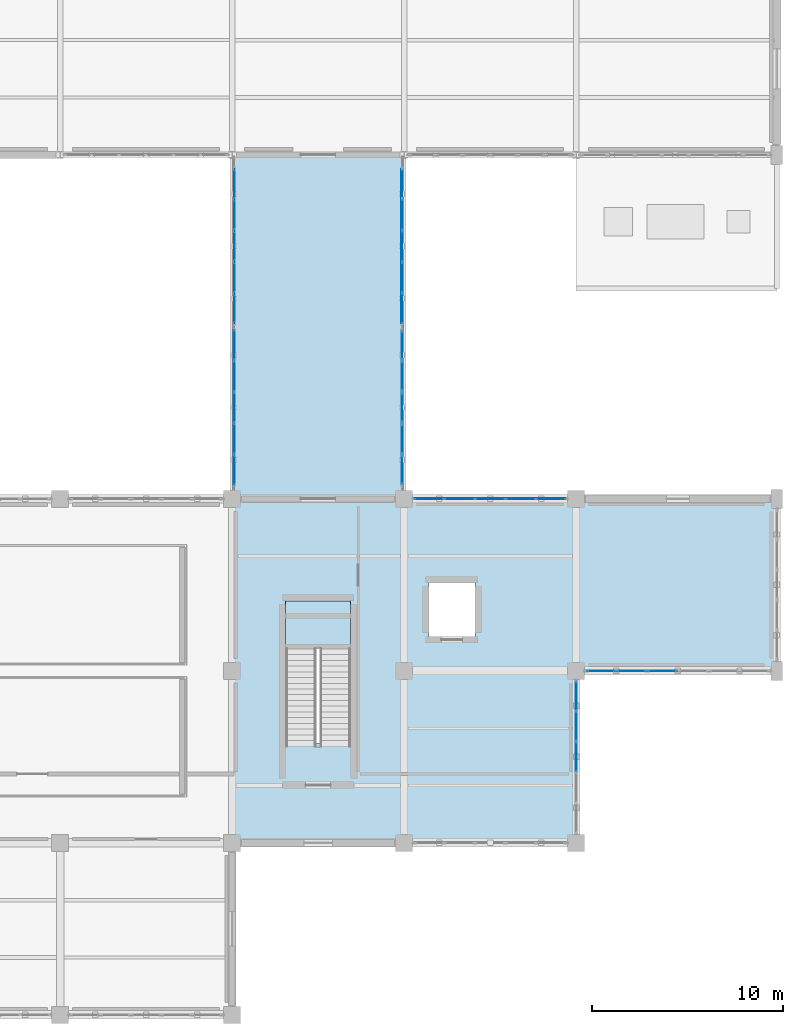
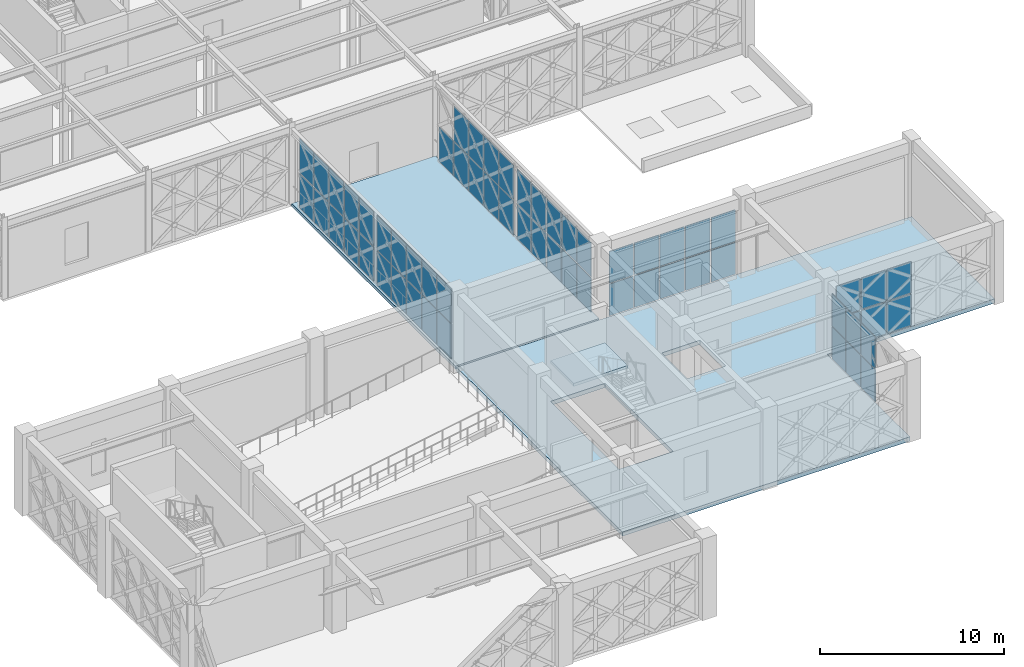
# One storey, part 135 of 166: 61 plates, 3 slabs, 8 elements without a shape of their own.
"""IFC4 building model written with IfcOpenShell, lengths in metres."""

from ifc_helpers import new_model, si_unit, direction, frame, origin, origin_2d, place, context, subcontext, project, spatial, polyline, rectangle, outline, extrude, material, layer, layer_set, type_object, element, aggregate, save


model = new_model("IFC4")

# Units and contexts
model_context = context("Model", 3, precision=1e-05, world=origin(), true_north=direction((0.0, 1.0)))
body_context = subcontext(model_context, "Body", "Model", "MODEL_VIEW")
ifc_project = project(units=[si_unit("LENGTHUNIT", "METRE"), si_unit("AREAUNIT", "SQUARE_METRE"), si_unit("VOLUMEUNIT", "CUBIC_METRE"), si_unit("PLANEANGLEUNIT", "RADIAN"), si_unit("MASSUNIT", "GRAM", prefix="KILO")], contexts=[model_context])

# Site, building, storey
site_placement = place(None, origin())
site = spatial("IfcSite", under=ifc_project, at=site_placement, CompositionType="ELEMENT")
building_placement = place(site_placement, origin())
building = spatial("IfcBuilding", under=site, at=building_placement, Name="Haizhuo Lancet Aquarium", CompositionType="ELEMENT")
storey_placement = place(building_placement, frame((0.0, 0.0, 5.39990234375)))
storey = spatial("IfcBuildingStorey", under=building, at=storey_placement, Name="L01", CompositionType="ELEMENT", Elevation=5.39990234375)

# Curtain wall, plates
ifc_material_1 = material(Name="Aluminium 6063-T6", Category="aluminium")
curtain_wall_type_1 = type_object("IfcCurtainWallType", Name="CWO-8200x4750", PredefinedType="NOTDEFINED", material=ifc_material_1)
curtain_wall_1_placement = place(storey_placement, origin())
curtain_wall_1 = element("IfcCurtainWall", 1, at=curtain_wall_1_placement, inside=storey, type_object=curtain_wall_type_1, Name="L01 curtain wall CW-SB-02-W2", PredefinedType="NOTDEFINED")
ifc_material_2 = material(Name="Laminated Low-E Glass", Category="glass")
ifc_layer_1 = layer(ifc_material_2, 0.028076171875)
ifc_layer_set_1 = layer_set([ifc_layer_1], Name="Laminated Low-E Glass")
plate_type_1 = type_object("IfcPlateType", Name="CW-PNL-1", PredefinedType="CURTAIN_PANEL", material=ifc_layer_set_1)
plate_1_placement = place(storey_placement, frame((54.1201171875, 0.958984375, 0.07470703125), z_axis=(0.0, 0.0, 1.0), x_axis=(0.0, 1.0, 0.0)))
plate_1 = element("IfcPlate", 2, at=plate_1_placement, type_object=plate_type_1, Name="CWO-82x47 panel 1.1", PredefinedType="CURTAIN_PANEL", context=body_context, shape_type="SweptSolid", body=[
    extrude(rectangle(XDim=1.528076171875, YDim=0.028076171875, at=origin_2d()), origin(), (0.0, 0.0, 1.0), 2.262939453125),
])
plate_2_placement = place(storey_placement, frame((54.1201171875, 0.958984375, 2.41259765625), z_axis=(0.0, 0.0, 1.0), x_axis=(0.0, 1.0, 0.0)))
plate_2 = element("IfcPlate", 3, at=plate_2_placement, type_object=plate_type_1, Name="CWO-82x47 panel 1.2", PredefinedType="CURTAIN_PANEL", context=body_context, shape_type="SweptSolid", body=[
    extrude(rectangle(XDim=1.528076171875, YDim=0.028076171875, at=origin_2d()), origin(), (0.0, 0.0, 1.0), 2.262939453125),
])
plate_3_placement = place(storey_placement, frame((54.1201171875, 2.580078125, 0.07470703125), z_axis=(0.0, 0.0, 1.0), x_axis=(0.0, 1.0, 0.0)))
plate_3 = element("IfcPlate", 4, at=plate_3_placement, type_object=plate_type_1, Name="CWO-82x47 panel 2.1", PredefinedType="CURTAIN_PANEL", context=body_context, shape_type="SweptSolid", body=[
    extrude(rectangle(XDim=1.56494140625, YDim=0.028076171875, at=origin_2d()), origin(), (0.0, 0.0, 1.0), 2.262939453125),
])
plate_4_placement = place(storey_placement, frame((54.1201171875, 2.580078125, 2.41259765625), z_axis=(0.0, 0.0, 1.0), x_axis=(0.0, 1.0, 0.0)))
plate_4 = element("IfcPlate", 5, at=plate_4_placement, type_object=plate_type_1, Name="CWO-82x47 panel 2.2", PredefinedType="CURTAIN_PANEL", context=body_context, shape_type="SweptSolid", body=[
    extrude(rectangle(XDim=1.56494140625, YDim=0.028076171875, at=origin_2d()), origin(), (0.0, 0.0, 1.0), 2.262939453125),
])
plate_5_placement = place(storey_placement, frame((54.1201171875, 4.219970703125, 0.07470703125), z_axis=(0.0, 0.0, 1.0), x_axis=(0.0, 1.0, 0.0)))
plate_5 = element("IfcPlate", 6, at=plate_5_placement, type_object=plate_type_1, Name="CWO-82x47 panel 3.1", PredefinedType="CURTAIN_PANEL", context=body_context, shape_type="SweptSolid", body=[
    extrude(rectangle(XDim=1.56494140625, YDim=0.028076171875, at=origin_2d()), origin(), (0.0, 0.0, 1.0), 2.262939453125),
])
plate_6_placement = place(storey_placement, frame((54.1201171875, 4.219970703125, 2.41259765625), z_axis=(0.0, 0.0, 1.0), x_axis=(0.0, 1.0, 0.0)))
plate_6 = element("IfcPlate", 7, at=plate_6_placement, type_object=plate_type_1, Name="CWO-82x47 panel 3.2", PredefinedType="CURTAIN_PANEL", context=body_context, shape_type="SweptSolid", body=[
    extrude(rectangle(XDim=1.56494140625, YDim=0.028076171875, at=origin_2d()), origin(), (0.0, 0.0, 1.0), 2.262939453125),
])
plate_7_placement = place(storey_placement, frame((54.1201171875, 5.860107421875, 0.07470703125), z_axis=(0.0, 0.0, 1.0), x_axis=(0.0, 1.0, 0.0)))
plate_7 = element("IfcPlate", 8, at=plate_7_placement, type_object=plate_type_1, Name="CWO-82x47 panel 4.1", PredefinedType="CURTAIN_PANEL", context=body_context, shape_type="SweptSolid", body=[
    extrude(rectangle(XDim=1.56494140625, YDim=0.028076171875, at=origin_2d()), origin(), (0.0, 0.0, 1.0), 2.262939453125),
])
plate_8_placement = place(storey_placement, frame((54.1201171875, 5.860107421875, 2.41259765625), z_axis=(0.0, 0.0, 1.0), x_axis=(0.0, 1.0, 0.0)))
plate_8 = element("IfcPlate", 9, at=plate_8_placement, type_object=plate_type_1, Name="CWO-82x47 panel 4.2", PredefinedType="CURTAIN_PANEL", context=body_context, shape_type="SweptSolid", body=[
    extrude(rectangle(XDim=1.56494140625, YDim=0.028076171875, at=origin_2d()), origin(), (0.0, 0.0, 1.0), 2.262939453125),
])
plate_9_placement = place(storey_placement, frame((54.1201171875, 7.48095703125, 0.07470703125), z_axis=(0.0, 0.0, 1.0), x_axis=(0.0, 1.0, 0.0)))
plate_9 = element("IfcPlate", 10, at=plate_9_placement, type_object=plate_type_1, Name="CWO-82x47 panel 5.1", PredefinedType="CURTAIN_PANEL", context=body_context, shape_type="SweptSolid", body=[
    extrude(rectangle(XDim=1.528076171875, YDim=0.028076171875, at=origin_2d()), origin(), (0.0, 0.0, 1.0), 2.262939453125),
])
plate_10_placement = place(storey_placement, frame((54.1201171875, 7.48095703125, 2.41259765625), z_axis=(0.0, 0.0, 1.0), x_axis=(0.0, 1.0, 0.0)))
plate_10 = element("IfcPlate", 11, at=plate_10_placement, type_object=plate_type_1, Name="CWO-82x47 panel 5.2", PredefinedType="CURTAIN_PANEL", context=body_context, shape_type="SweptSolid", body=[
    extrude(rectangle(XDim=1.528076171875, YDim=0.028076171875, at=origin_2d()), origin(), (0.0, 0.0, 1.0), 2.262939453125),
])
aggregate(curtain_wall_1, [plate_1, plate_2, plate_3, plate_4, plate_5, plate_6, plate_7, plate_8, plate_9, plate_10])

curtain_wall_type_2 = type_object("IfcCurtainWallType", Name="CWO-9660x4390", PredefinedType="NOTDEFINED", material=ifc_material_1)
curtain_wall_2_placement = place(storey_placement, origin())
curtain_wall_2 = element("IfcCurtainWall", 12, at=curtain_wall_2_placement, inside=storey, type_object=curtain_wall_type_2, Name="L01 curtain wall CW-V3-L01-042", PredefinedType="NOTDEFINED")
ifc_layer_2 = layer(ifc_material_2, 0.033935546875)
ifc_layer_set_2 = layer_set([ifc_layer_2], Name="Laminated Low-E Glass")
plate_type_2 = type_object("IfcPlateType", Name="CW-PNL-2", PredefinedType="CURTAIN_PANEL", material=ifc_layer_set_2)
plate_11_placement = place(storey_placement, frame((76.52001953125, -18.0, 0.08056640625), z_axis=(0.0, 0.0, 1.0), x_axis=(-1.0, 0.0, 0.0)))
plate_11 = element("IfcPlate", 13, at=plate_11_placement, type_object=plate_type_2, Name="CWO-96x43 panel 4.1", PredefinedType="CURTAIN_PANEL", context=body_context, shape_type="SweptSolid", body=[
    extrude(rectangle(XDim=1.530029296875, YDim=0.033935546875, at=origin_2d()), origin(), (0.0, 0.0, 1.0), 2.074951171875),
])
plate_12_placement = place(storey_placement, frame((76.52001953125, -18.0, 2.23486328125), z_axis=(0.0, 0.0, 1.0), x_axis=(-1.0, 0.0, 0.0)))
plate_12 = element("IfcPlate", 14, at=plate_12_placement, type_object=plate_type_2, Name="CWO-96x43 panel 4.2", PredefinedType="CURTAIN_PANEL", context=body_context, shape_type="SweptSolid", body=[
    extrude(rectangle(XDim=1.530029296875, YDim=0.033935546875, at=origin_2d()), origin(), (0.0, 0.0, 1.0), 2.074951171875),
])
plate_13_placement = place(storey_placement, frame((74.909912109375, -18.0, 0.08056640625), z_axis=(0.0, 0.0, 1.0), x_axis=(-1.0, 0.0, 0.0)))
plate_13 = element("IfcPlate", 15, at=plate_13_placement, type_object=plate_type_2, Name="CWO-96x43 panel 5.1", PredefinedType="CURTAIN_PANEL", context=body_context, shape_type="SweptSolid", body=[
    extrude(rectangle(XDim=1.530029296875, YDim=0.033935546875, at=origin_2d()), origin(), (0.0, 0.0, 1.0), 2.074951171875),
])
plate_14_placement = place(storey_placement, frame((74.909912109375, -18.0, 2.23486328125), z_axis=(0.0, 0.0, 1.0), x_axis=(-1.0, 0.0, 0.0)))
plate_14 = element("IfcPlate", 16, at=plate_14_placement, type_object=plate_type_2, Name="CWO-96x43 panel 5.2", PredefinedType="CURTAIN_PANEL", context=body_context, shape_type="SweptSolid", body=[
    extrude(rectangle(XDim=1.530029296875, YDim=0.033935546875, at=origin_2d()), origin(), (0.0, 0.0, 1.0), 2.074951171875),
])
plate_15_placement = place(storey_placement, frame((73.320068359375, -18.0, 0.08056640625), z_axis=(0.0, 0.0, 1.0), x_axis=(-1.0, 0.0, 0.0)))
plate_15 = element("IfcPlate", 17, at=plate_15_placement, type_object=plate_type_2, Name="CWO-96x43 panel 6.1", PredefinedType="CURTAIN_PANEL", context=body_context, shape_type="SweptSolid", body=[
    extrude(rectangle(XDim=1.489990234375, YDim=0.033935546875, at=origin_2d()), origin(), (0.0, 0.0, 1.0), 2.074951171875),
])
plate_16_placement = place(storey_placement, frame((73.320068359375, -18.0, 2.23486328125), z_axis=(0.0, 0.0, 1.0), x_axis=(-1.0, 0.0, 0.0)))
plate_16 = element("IfcPlate", 18, at=plate_16_placement, type_object=plate_type_2, Name="CWO-96x43 panel 6.2", PredefinedType="CURTAIN_PANEL", context=body_context, shape_type="SweptSolid", body=[
    extrude(rectangle(XDim=1.489990234375, YDim=0.033935546875, at=origin_2d()), origin(), (0.0, 0.0, 1.0), 2.074951171875),
])
aggregate(curtain_wall_2, [plate_11, plate_12, plate_13, plate_14, plate_15, plate_16])

curtain_wall_3_placement = place(storey_placement, origin())
curtain_wall_3 = element("IfcCurtainWall", 19, at=curtain_wall_3_placement, inside=storey, type_object=curtain_wall_type_1, Name="L01 curtain wall CW-SB-02-E1", PredefinedType="NOTDEFINED")
plate_17_placement = place(storey_placement, frame((62.8798828125, -0.9599609375, 0.07958984375), z_axis=(0.0, 0.0, 1.0), x_axis=(0.0, -1.0, 0.0)))
plate_17 = element("IfcPlate", 20, at=plate_17_placement, type_object=plate_type_2, Name="CWO-82x47 panel 1.1", PredefinedType="CURTAIN_PANEL", context=body_context, shape_type="SweptSolid", body=[
    extrude(rectangle(XDim=1.52001953125, YDim=0.033935546875, at=origin_2d()), origin(), (0.0, 0.0, 1.0), 2.2548828125),
])
plate_18_placement = place(storey_placement, frame((62.8798828125, -0.9599609375, 2.415771484375), z_axis=(0.0, 0.0, 1.0), x_axis=(0.0, -1.0, 0.0)))
plate_18 = element("IfcPlate", 21, at=plate_18_placement, type_object=plate_type_2, Name="CWO-82x47 panel 1.2", PredefinedType="CURTAIN_PANEL", context=body_context, shape_type="SweptSolid", body=[
    extrude(rectangle(XDim=1.52001953125, YDim=0.033935546875, at=origin_2d()), origin(), (0.0, 0.0, 1.0), 2.2548828125),
])
plate_19_placement = place(storey_placement, frame((62.8798828125, -2.580078125, 0.07958984375), z_axis=(0.0, 0.0, 1.0), x_axis=(0.0, -1.0, 0.0)))
plate_19 = element("IfcPlate", 22, at=plate_19_placement, type_object=plate_type_2, Name="CWO-82x47 panel 2.1", PredefinedType="CURTAIN_PANEL", context=body_context, shape_type="SweptSolid", body=[
    extrude(rectangle(XDim=1.56005859375, YDim=0.033935546875, at=origin_2d()), origin(), (0.0, 0.0, 1.0), 2.2548828125),
])
plate_20_placement = place(storey_placement, frame((62.8798828125, -2.580078125, 2.415771484375), z_axis=(0.0, 0.0, 1.0), x_axis=(0.0, -1.0, 0.0)))
plate_20 = element("IfcPlate", 23, at=plate_20_placement, type_object=plate_type_2, Name="CWO-82x47 panel 2.2", PredefinedType="CURTAIN_PANEL", context=body_context, shape_type="SweptSolid", body=[
    extrude(rectangle(XDim=1.56005859375, YDim=0.033935546875, at=origin_2d()), origin(), (0.0, 0.0, 1.0), 2.2548828125),
])
plate_21_placement = place(storey_placement, frame((62.8798828125, -4.219970703125, 0.07958984375), z_axis=(0.0, 0.0, 1.0), x_axis=(0.0, -1.0, 0.0)))
plate_21 = element("IfcPlate", 24, at=plate_21_placement, type_object=plate_type_2, Name="CWO-82x47 panel 3.1", PredefinedType="CURTAIN_PANEL", context=body_context, shape_type="SweptSolid", body=[
    extrude(rectangle(XDim=1.56005859375, YDim=0.033935546875, at=origin_2d()), origin(), (0.0, 0.0, 1.0), 2.2548828125),
])
plate_22_placement = place(storey_placement, frame((62.8798828125, -4.219970703125, 2.415771484375), z_axis=(0.0, 0.0, 1.0), x_axis=(0.0, -1.0, 0.0)))
plate_22 = element("IfcPlate", 25, at=plate_22_placement, type_object=plate_type_2, Name="CWO-82x47 panel 3.2", PredefinedType="CURTAIN_PANEL", context=body_context, shape_type="SweptSolid", body=[
    extrude(rectangle(XDim=1.56005859375, YDim=0.033935546875, at=origin_2d()), origin(), (0.0, 0.0, 1.0), 2.2548828125),
])
plate_23_placement = place(storey_placement, frame((62.8798828125, -5.860107421875, 0.07958984375), z_axis=(0.0, 0.0, 1.0), x_axis=(0.0, -1.0, 0.0)))
plate_23 = element("IfcPlate", 26, at=plate_23_placement, type_object=plate_type_2, Name="CWO-82x47 panel 4.1", PredefinedType="CURTAIN_PANEL", context=body_context, shape_type="SweptSolid", body=[
    extrude(rectangle(XDim=1.56005859375, YDim=0.033935546875, at=origin_2d()), origin(), (0.0, 0.0, 1.0), 2.2548828125),
])
plate_24_placement = place(storey_placement, frame((62.8798828125, -5.860107421875, 2.415771484375), z_axis=(0.0, 0.0, 1.0), x_axis=(0.0, -1.0, 0.0)))
plate_24 = element("IfcPlate", 27, at=plate_24_placement, type_object=plate_type_2, Name="CWO-82x47 panel 4.2", PredefinedType="CURTAIN_PANEL", context=body_context, shape_type="SweptSolid", body=[
    extrude(rectangle(XDim=1.56005859375, YDim=0.033935546875, at=origin_2d()), origin(), (0.0, 0.0, 1.0), 2.2548828125),
])
plate_25_placement = place(storey_placement, frame((62.8798828125, -7.47998046875, 0.07958984375), z_axis=(0.0, 0.0, 1.0), x_axis=(0.0, -1.0, 0.0)))
plate_25 = element("IfcPlate", 28, at=plate_25_placement, type_object=plate_type_2, Name="CWO-82x47 panel 5.1", PredefinedType="CURTAIN_PANEL", context=body_context, shape_type="SweptSolid", body=[
    extrude(rectangle(XDim=1.52001953125, YDim=0.033935546875, at=origin_2d()), origin(), (0.0, 0.0, 1.0), 2.2548828125),
])
plate_26_placement = place(storey_placement, frame((62.8798828125, -7.47998046875, 2.415771484375), z_axis=(0.0, 0.0, 1.0), x_axis=(0.0, -1.0, 0.0)))
plate_26 = element("IfcPlate", 29, at=plate_26_placement, type_object=plate_type_2, Name="CWO-82x47 panel 5.2", PredefinedType="CURTAIN_PANEL", context=body_context, shape_type="SweptSolid", body=[
    extrude(rectangle(XDim=1.52001953125, YDim=0.033935546875, at=origin_2d()), origin(), (0.0, 0.0, 1.0), 2.2548828125),
])
aggregate(curtain_wall_3, [plate_17, plate_18, plate_19, plate_20, plate_21, plate_22, plate_23, plate_24, plate_25, plate_26])

curtain_wall_type_3 = type_object("IfcCurtainWallType", Name="CWO-8010x4440", PredefinedType="NOTDEFINED", material=ifc_material_1)
curtain_wall_4_placement = place(storey_placement, origin())
curtain_wall_4 = element("IfcCurtainWall", 30, at=curtain_wall_4_placement, inside=storey, type_object=curtain_wall_type_3, Name="L01 curtain wall CW-V3-L01-043", PredefinedType="NOTDEFINED")
ifc_layer_3 = layer(ifc_material_2, 0.0419921875)
ifc_layer_set_3 = layer_set([ifc_layer_3], Name="Laminated Low-E Glass")
plate_type_3 = type_object("IfcPlateType", Name="CW-PNL-3", PredefinedType="CURTAIN_PANEL", material=ifc_layer_set_3)
plate_27_placement = place(storey_placement, frame((72.0, -19.31201171875, 0.064453125), z_axis=(0.0, 0.0, 1.0), x_axis=(0.0, -1.0, 0.0)))
plate_27 = element("IfcPlate", 31, at=plate_27_placement, type_object=plate_type_3, Name="CWO-80x44 panel 1.1", PredefinedType="CURTAIN_PANEL", context=body_context, shape_type="SweptSolid", body=[
    extrude(rectangle(XDim=1.50390625, YDim=0.0419921875, at=origin_2d()), origin(), (0.0, 0.0, 1.0), 2.123046875),
])
plate_28_placement = place(storey_placement, frame((72.0, -19.31201171875, 2.253173828125), z_axis=(0.0, 0.0, 1.0), x_axis=(0.0, -1.0, 0.0)))
plate_28 = element("IfcPlate", 32, at=plate_28_placement, type_object=plate_type_3, Name="CWO-80x44 panel 1.2", PredefinedType="CURTAIN_PANEL", context=body_context, shape_type="SweptSolid", body=[
    extrude(rectangle(XDim=1.50390625, YDim=0.0419921875, at=origin_2d()), origin(), (0.0, 0.0, 1.0), 2.1220703125),
])
plate_29_placement = place(storey_placement, frame((72.0, -20.89794921875, 0.064453125), z_axis=(0.0, 0.0, 1.0), x_axis=(0.0, -1.0, 0.0)))
plate_29 = element("IfcPlate", 33, at=plate_29_placement, type_object=plate_type_3, Name="CWO-80x44 panel 2.1", PredefinedType="CURTAIN_PANEL", context=body_context, shape_type="SweptSolid", body=[
    extrude(rectangle(XDim=1.537109375, YDim=0.0419921875, at=origin_2d()), origin(), (0.0, 0.0, 1.0), 2.123046875),
])
plate_30_placement = place(storey_placement, frame((72.0, -20.89794921875, 2.253173828125), z_axis=(0.0, 0.0, 1.0), x_axis=(0.0, -1.0, 0.0)))
plate_30 = element("IfcPlate", 34, at=plate_30_placement, type_object=plate_type_3, Name="CWO-80x44 panel 2.2", PredefinedType="CURTAIN_PANEL", context=body_context, shape_type="SweptSolid", body=[
    extrude(rectangle(XDim=1.537109375, YDim=0.0419921875, at=origin_2d()), origin(), (0.0, 0.0, 1.0), 2.1220703125),
])
plate_31_placement = place(storey_placement, frame((72.0, -22.5, 0.064453125), z_axis=(0.0, 0.0, 1.0), x_axis=(0.0, -1.0, 0.0)))
plate_31 = element("IfcPlate", 35, at=plate_31_placement, type_object=plate_type_3, Name="CWO-80x44 panel 3.1", PredefinedType="CURTAIN_PANEL", context=body_context, shape_type="SweptSolid", body=[
    extrude(rectangle(XDim=1.537109375, YDim=0.0419921875, at=origin_2d()), origin(), (0.0, 0.0, 1.0), 2.123046875),
])
plate_32_placement = place(storey_placement, frame((72.0, -22.5, 2.253173828125), z_axis=(0.0, 0.0, 1.0), x_axis=(0.0, -1.0, 0.0)))
plate_32 = element("IfcPlate", 36, at=plate_32_placement, type_object=plate_type_3, Name="CWO-80x44 panel 3.2", PredefinedType="CURTAIN_PANEL", context=body_context, shape_type="SweptSolid", body=[
    extrude(rectangle(XDim=1.537109375, YDim=0.0419921875, at=origin_2d()), origin(), (0.0, 0.0, 1.0), 2.1220703125),
])
aggregate(curtain_wall_4, [plate_27, plate_28, plate_29, plate_30, plate_31, plate_32])

curtain_wall_5_placement = place(storey_placement, origin())
curtain_wall_5 = element("IfcCurtainWall", 37, at=curtain_wall_5_placement, inside=storey, type_object=curtain_wall_type_1, Name="L01 curtain wall CW-SB-02-E2", PredefinedType="NOTDEFINED")
plate_33_placement = place(storey_placement, frame((62.8798828125, 7.48388671875, 0.06494140625), z_axis=(0.0, 0.0, 1.0), x_axis=(0.0, -1.0, 0.0)))
plate_33 = element("IfcPlate", 38, at=plate_33_placement, type_object=plate_type_3, Name="CWO-82x47 panel 1.1", PredefinedType="CURTAIN_PANEL", context=body_context, shape_type="SweptSolid", body=[
    extrude(rectangle(XDim=1.54296875, YDim=0.0419921875, at=origin_2d()), origin(), (0.0, 0.0, 1.0), 2.278076171875),
])
plate_34_placement = place(storey_placement, frame((62.8798828125, 5.860107421875, 0.06494140625), z_axis=(0.0, 0.0, 1.0), x_axis=(0.0, -1.0, 0.0)))
plate_34 = element("IfcPlate", 39, at=plate_34_placement, type_object=plate_type_3, Name="CWO-82x47 panel 2.1", PredefinedType="CURTAIN_PANEL", context=body_context, shape_type="SweptSolid", body=[
    extrude(rectangle(XDim=1.574951171875, YDim=0.0419921875, at=origin_2d()), origin(), (0.0, 0.0, 1.0), 2.278076171875),
])
plate_35_placement = place(storey_placement, frame((62.8798828125, 5.860107421875, 2.40771484375), z_axis=(0.0, 0.0, 1.0), x_axis=(0.0, -1.0, 0.0)))
plate_35 = element("IfcPlate", 40, at=plate_35_placement, type_object=plate_type_3, Name="CWO-82x47 panel 2.2", PredefinedType="CURTAIN_PANEL", context=body_context, shape_type="SweptSolid", body=[
    extrude(rectangle(XDim=1.574951171875, YDim=0.0419921875, at=origin_2d()), origin(), (0.0, 0.0, 1.0), 2.277099609375),
])
plate_36_placement = place(storey_placement, frame((62.8798828125, 4.219970703125, 0.06494140625), z_axis=(0.0, 0.0, 1.0), x_axis=(0.0, -1.0, 0.0)))
plate_36 = element("IfcPlate", 41, at=plate_36_placement, type_object=plate_type_3, Name="CWO-82x47 panel 3.1", PredefinedType="CURTAIN_PANEL", context=body_context, shape_type="SweptSolid", body=[
    extrude(rectangle(XDim=1.574951171875, YDim=0.0419921875, at=origin_2d()), origin(), (0.0, 0.0, 1.0), 2.278076171875),
])
plate_37_placement = place(storey_placement, frame((62.8798828125, 4.219970703125, 2.40771484375), z_axis=(0.0, 0.0, 1.0), x_axis=(0.0, -1.0, 0.0)))
plate_37 = element("IfcPlate", 42, at=plate_37_placement, type_object=plate_type_3, Name="CWO-82x47 panel 3.2", PredefinedType="CURTAIN_PANEL", context=body_context, shape_type="SweptSolid", body=[
    extrude(rectangle(XDim=1.574951171875, YDim=0.0419921875, at=origin_2d()), origin(), (0.0, 0.0, 1.0), 2.277099609375),
])
plate_38_placement = place(storey_placement, frame((62.8798828125, 2.580078125, 0.06494140625), z_axis=(0.0, 0.0, 1.0), x_axis=(0.0, -1.0, 0.0)))
plate_38 = element("IfcPlate", 43, at=plate_38_placement, type_object=plate_type_3, Name="CWO-82x47 panel 4.1", PredefinedType="CURTAIN_PANEL", context=body_context, shape_type="SweptSolid", body=[
    extrude(rectangle(XDim=1.574951171875, YDim=0.0419921875, at=origin_2d()), origin(), (0.0, 0.0, 1.0), 2.278076171875),
])
plate_39_placement = place(storey_placement, frame((62.8798828125, 2.580078125, 2.40771484375), z_axis=(0.0, 0.0, 1.0), x_axis=(0.0, -1.0, 0.0)))
plate_39 = element("IfcPlate", 44, at=plate_39_placement, type_object=plate_type_3, Name="CWO-82x47 panel 4.2", PredefinedType="CURTAIN_PANEL", context=body_context, shape_type="SweptSolid", body=[
    extrude(rectangle(XDim=1.574951171875, YDim=0.0419921875, at=origin_2d()), origin(), (0.0, 0.0, 1.0), 2.277099609375),
])
plate_40_placement = place(storey_placement, frame((62.8798828125, 0.9560546875, 0.06494140625), z_axis=(0.0, 0.0, 1.0), x_axis=(0.0, -1.0, 0.0)))
plate_40 = element("IfcPlate", 45, at=plate_40_placement, type_object=plate_type_3, Name="CWO-82x47 panel 5.1", PredefinedType="CURTAIN_PANEL", context=body_context, shape_type="SweptSolid", body=[
    extrude(rectangle(XDim=1.5419921875, YDim=0.0419921875, at=origin_2d()), origin(), (0.0, 0.0, 1.0), 2.278076171875),
])
plate_41_placement = place(storey_placement, frame((62.8798828125, 0.9560546875, 2.40771484375), z_axis=(0.0, 0.0, 1.0), x_axis=(0.0, -1.0, 0.0)))
plate_41 = element("IfcPlate", 46, at=plate_41_placement, type_object=plate_type_3, Name="CWO-82x47 panel 5.2", PredefinedType="CURTAIN_PANEL", context=body_context, shape_type="SweptSolid", body=[
    extrude(rectangle(XDim=1.5419921875, YDim=0.0419921875, at=origin_2d()), origin(), (0.0, 0.0, 1.0), 2.277099609375),
])
aggregate(curtain_wall_5, [plate_33, plate_34, plate_35, plate_36, plate_37, plate_38, plate_39, plate_40, plate_41])

curtain_wall_type_4 = type_object("IfcCurtainWallType", Name="CWO-8010x4390", PredefinedType="NOTDEFINED", material=ifc_material_1)
curtain_wall_6_placement = place(storey_placement, origin())
curtain_wall_6 = element("IfcCurtainWall", 47, at=curtain_wall_6_placement, inside=storey, type_object=curtain_wall_type_4, Name="L01 curtain wall CW-V3-L01-040", PredefinedType="NOTDEFINED")
ifc_layer_4 = layer(ifc_material_2, 0.052001953125)
ifc_layer_set_4 = layer_set([ifc_layer_4], Name="Laminated Low-E Glass")
plate_type_4 = type_object("IfcPlateType", Name="CW-PNL-4", PredefinedType="CURTAIN_PANEL", material=ifc_layer_set_4)
plate_42_placement = place(storey_placement, frame((64.31201171875, -9.0, 0.06494140625), z_axis=(0.0, 0.0, 1.0), x_axis=(1.0, 0.0, 0.0)))
plate_42 = element("IfcPlate", 48, at=plate_42_placement, type_object=plate_type_4, Name="CWO-80x43 panel 1.1", PredefinedType="CURTAIN_PANEL", context=body_context, shape_type="SweptSolid", body=[
    extrude(rectangle(XDim=1.50390625, YDim=0.052001953125, at=origin_2d()), origin(), (0.0, 0.0, 1.0), 2.097900390625),
])
plate_43_placement = place(storey_placement, frame((64.31201171875, -9.0, 2.2275390625), z_axis=(0.0, 0.0, 1.0), x_axis=(1.0, 0.0, 0.0)))
plate_43 = element("IfcPlate", 49, at=plate_43_placement, type_object=plate_type_4, Name="CWO-80x43 panel 1.2", PredefinedType="CURTAIN_PANEL", context=body_context, shape_type="SweptSolid", body=[
    extrude(rectangle(XDim=1.50390625, YDim=0.052001953125, at=origin_2d()), origin(), (0.0, 0.0, 1.0), 2.096923828125),
])
plate_44_placement = place(storey_placement, frame((65.89794921875, -9.0, 0.06494140625), z_axis=(0.0, 0.0, 1.0), x_axis=(1.0, 0.0, 0.0)))
plate_44 = element("IfcPlate", 50, at=plate_44_placement, type_object=plate_type_4, Name="CWO-80x43 panel 2.1", PredefinedType="CURTAIN_PANEL", context=body_context, shape_type="SweptSolid", body=[
    extrude(rectangle(XDim=1.537109375, YDim=0.052001953125, at=origin_2d()), origin(), (0.0, 0.0, 1.0), 2.097900390625),
])
plate_45_placement = place(storey_placement, frame((65.89794921875, -9.0, 2.2275390625), z_axis=(0.0, 0.0, 1.0), x_axis=(1.0, 0.0, 0.0)))
plate_45 = element("IfcPlate", 51, at=plate_45_placement, type_object=plate_type_4, Name="CWO-80x43 panel 2.2", PredefinedType="CURTAIN_PANEL", context=body_context, shape_type="SweptSolid", body=[
    extrude(rectangle(XDim=1.537109375, YDim=0.052001953125, at=origin_2d()), origin(), (0.0, 0.0, 1.0), 2.096923828125),
])
plate_46_placement = place(storey_placement, frame((67.5, -9.0, 0.06494140625), z_axis=(0.0, 0.0, 1.0), x_axis=(1.0, 0.0, 0.0)))
plate_46 = element("IfcPlate", 52, at=plate_46_placement, type_object=plate_type_4, Name="CWO-80x43 panel 3.1", PredefinedType="CURTAIN_PANEL", context=body_context, shape_type="SweptSolid", body=[
    extrude(rectangle(XDim=1.537109375, YDim=0.052001953125, at=origin_2d()), origin(), (0.0, 0.0, 1.0), 2.097900390625),
])
plate_47_placement = place(storey_placement, frame((67.5, -9.0, 2.2275390625), z_axis=(0.0, 0.0, 1.0), x_axis=(1.0, 0.0, 0.0)))
plate_47 = element("IfcPlate", 53, at=plate_47_placement, type_object=plate_type_4, Name="CWO-80x43 panel 3.2", PredefinedType="CURTAIN_PANEL", context=body_context, shape_type="SweptSolid", body=[
    extrude(rectangle(XDim=1.537109375, YDim=0.052001953125, at=origin_2d()), origin(), (0.0, 0.0, 1.0), 2.096923828125),
])
plate_48_placement = place(storey_placement, frame((69.10205078125, -9.0, 0.06494140625), z_axis=(0.0, 0.0, 1.0), x_axis=(1.0, 0.0, 0.0)))
plate_48 = element("IfcPlate", 54, at=plate_48_placement, type_object=plate_type_4, Name="CWO-80x43 panel 4.1", PredefinedType="CURTAIN_PANEL", context=body_context, shape_type="SweptSolid", body=[
    extrude(rectangle(XDim=1.537109375, YDim=0.052001953125, at=origin_2d()), origin(), (0.0, 0.0, 1.0), 2.097900390625),
])
plate_49_placement = place(storey_placement, frame((69.10205078125, -9.0, 2.2275390625), z_axis=(0.0, 0.0, 1.0), x_axis=(1.0, 0.0, 0.0)))
plate_49 = element("IfcPlate", 55, at=plate_49_placement, type_object=plate_type_4, Name="CWO-80x43 panel 4.2", PredefinedType="CURTAIN_PANEL", context=body_context, shape_type="SweptSolid", body=[
    extrude(rectangle(XDim=1.537109375, YDim=0.052001953125, at=origin_2d()), origin(), (0.0, 0.0, 1.0), 2.096923828125),
])
plate_50_placement = place(storey_placement, frame((70.68798828125, -9.0, 0.06494140625), z_axis=(0.0, 0.0, 1.0), x_axis=(1.0, 0.0, 0.0)))
plate_50 = element("IfcPlate", 56, at=plate_50_placement, type_object=plate_type_4, Name="CWO-80x43 panel 5.1", PredefinedType="CURTAIN_PANEL", context=body_context, shape_type="SweptSolid", body=[
    extrude(rectangle(XDim=1.5048828125, YDim=0.052001953125, at=origin_2d()), origin(), (0.0, 0.0, 1.0), 2.097900390625),
])
plate_51_placement = place(storey_placement, frame((70.68798828125, -9.0, 2.2275390625), z_axis=(0.0, 0.0, 1.0), x_axis=(1.0, 0.0, 0.0)))
plate_51 = element("IfcPlate", 57, at=plate_51_placement, type_object=plate_type_4, Name="CWO-80x43 panel 5.2", PredefinedType="CURTAIN_PANEL", context=body_context, shape_type="SweptSolid", body=[
    extrude(rectangle(XDim=1.5048828125, YDim=0.052001953125, at=origin_2d()), origin(), (0.0, 0.0, 1.0), 2.096923828125),
])
aggregate(curtain_wall_6, [plate_42, plate_43, plate_44, plate_45, plate_46, plate_47, plate_48, plate_49, plate_50, plate_51])

curtain_wall_7_placement = place(storey_placement, origin())
curtain_wall_7 = element("IfcCurtainWall", 58, at=curtain_wall_7_placement, inside=storey, type_object=curtain_wall_type_1, Name="L01 curtain wall CW-SB-02-W1", PredefinedType="NOTDEFINED")
plate_52_placement = place(storey_placement, frame((54.1201171875, -7.48388671875, 0.06494140625), z_axis=(0.0, 0.0, 1.0), x_axis=(0.0, 1.0, 0.0)))
plate_52 = element("IfcPlate", 59, at=plate_52_placement, type_object=plate_type_4, Name="CWO-82x47 panel 1.1", PredefinedType="CURTAIN_PANEL", context=body_context, shape_type="SweptSolid", body=[
    extrude(rectangle(XDim=1.54296875, YDim=0.052001953125, at=origin_2d()), origin(), (0.0, 0.0, 1.0), 2.278076171875),
])
plate_53_placement = place(storey_placement, frame((54.1201171875, -7.48388671875, 2.40771484375), z_axis=(0.0, 0.0, 1.0), x_axis=(0.0, 1.0, 0.0)))
plate_53 = element("IfcPlate", 60, at=plate_53_placement, type_object=plate_type_4, Name="CWO-82x47 panel 1.2", PredefinedType="CURTAIN_PANEL", context=body_context, shape_type="SweptSolid", body=[
    extrude(rectangle(XDim=1.54296875, YDim=0.052001953125, at=origin_2d()), origin(), (0.0, 0.0, 1.0), 2.277099609375),
])
plate_54_placement = place(storey_placement, frame((54.1201171875, -5.860107421875, 0.06494140625), z_axis=(0.0, 0.0, 1.0), x_axis=(0.0, 1.0, 0.0)))
plate_54 = element("IfcPlate", 61, at=plate_54_placement, type_object=plate_type_4, Name="CWO-82x47 panel 2.1", PredefinedType="CURTAIN_PANEL", context=body_context, shape_type="SweptSolid", body=[
    extrude(rectangle(XDim=1.574951171875, YDim=0.052001953125, at=origin_2d()), origin(), (0.0, 0.0, 1.0), 2.278076171875),
])
plate_55_placement = place(storey_placement, frame((54.1201171875, -5.860107421875, 2.40771484375), z_axis=(0.0, 0.0, 1.0), x_axis=(0.0, 1.0, 0.0)))
plate_55 = element("IfcPlate", 62, at=plate_55_placement, type_object=plate_type_4, Name="CWO-82x47 panel 2.2", PredefinedType="CURTAIN_PANEL", context=body_context, shape_type="SweptSolid", body=[
    extrude(rectangle(XDim=1.574951171875, YDim=0.052001953125, at=origin_2d()), origin(), (0.0, 0.0, 1.0), 2.277099609375),
])
plate_56_placement = place(storey_placement, frame((54.1201171875, -4.219970703125, 0.06494140625), z_axis=(0.0, 0.0, 1.0), x_axis=(0.0, 1.0, 0.0)))
plate_56 = element("IfcPlate", 63, at=plate_56_placement, type_object=plate_type_4, Name="CWO-82x47 panel 3.1", PredefinedType="CURTAIN_PANEL", context=body_context, shape_type="SweptSolid", body=[
    extrude(rectangle(XDim=1.574951171875, YDim=0.052001953125, at=origin_2d()), origin(), (0.0, 0.0, 1.0), 2.278076171875),
])
plate_57_placement = place(storey_placement, frame((54.1201171875, -4.219970703125, 2.40771484375), z_axis=(0.0, 0.0, 1.0), x_axis=(0.0, 1.0, 0.0)))
plate_57 = element("IfcPlate", 64, at=plate_57_placement, type_object=plate_type_4, Name="CWO-82x47 panel 3.2", PredefinedType="CURTAIN_PANEL", context=body_context, shape_type="SweptSolid", body=[
    extrude(rectangle(XDim=1.574951171875, YDim=0.052001953125, at=origin_2d()), origin(), (0.0, 0.0, 1.0), 2.277099609375),
])
plate_58_placement = place(storey_placement, frame((54.1201171875, -2.580078125, 0.06494140625), z_axis=(0.0, 0.0, 1.0), x_axis=(0.0, 1.0, 0.0)))
plate_58 = element("IfcPlate", 65, at=plate_58_placement, type_object=plate_type_4, Name="CWO-82x47 panel 4.1", PredefinedType="CURTAIN_PANEL", context=body_context, shape_type="SweptSolid", body=[
    extrude(rectangle(XDim=1.574951171875, YDim=0.052001953125, at=origin_2d()), origin(), (0.0, 0.0, 1.0), 2.278076171875),
])
plate_59_placement = place(storey_placement, frame((54.1201171875, -2.580078125, 2.40771484375), z_axis=(0.0, 0.0, 1.0), x_axis=(0.0, 1.0, 0.0)))
plate_59 = element("IfcPlate", 66, at=plate_59_placement, type_object=plate_type_4, Name="CWO-82x47 panel 4.2", PredefinedType="CURTAIN_PANEL", context=body_context, shape_type="SweptSolid", body=[
    extrude(rectangle(XDim=1.574951171875, YDim=0.052001953125, at=origin_2d()), origin(), (0.0, 0.0, 1.0), 2.277099609375),
])
plate_60_placement = place(storey_placement, frame((54.1201171875, -0.9560546875, 0.06494140625), z_axis=(0.0, 0.0, 1.0), x_axis=(0.0, 1.0, 0.0)))
plate_60 = element("IfcPlate", 67, at=plate_60_placement, type_object=plate_type_4, Name="CWO-82x47 panel 5.1", PredefinedType="CURTAIN_PANEL", context=body_context, shape_type="SweptSolid", body=[
    extrude(rectangle(XDim=1.5419921875, YDim=0.052001953125, at=origin_2d()), origin(), (0.0, 0.0, 1.0), 2.278076171875),
])
plate_61_placement = place(storey_placement, frame((54.1201171875, -0.9560546875, 2.40771484375), z_axis=(0.0, 0.0, 1.0), x_axis=(0.0, 1.0, 0.0)))
plate_61 = element("IfcPlate", 68, at=plate_61_placement, type_object=plate_type_4, Name="CWO-82x47 panel 5.2", PredefinedType="CURTAIN_PANEL", context=body_context, shape_type="SweptSolid", body=[
    extrude(rectangle(XDim=1.5419921875, YDim=0.052001953125, at=origin_2d()), origin(), (0.0, 0.0, 1.0), 2.277099609375),
])
aggregate(curtain_wall_7, [plate_52, plate_53, plate_54, plate_55, plate_56, plate_57, plate_58, plate_59, plate_60, plate_61])

# Slabs
ifc_material_3 = material(Name="Concrete C40/50", Category="concrete")
ifc_layer_5 = layer(ifc_material_3, 0.219970703125)
ifc_layer_set_5 = layer_set([ifc_layer_5], Name="Concrete C40/50")
slab_type_1 = type_object("IfcSlabType", Name="SLB-BRG-220", PredefinedType="FLOOR", material=ifc_layer_set_5)
slab_1_placement = place(storey_placement, frame((0.0, 0.0, -0.219970703125)))
element("IfcSlab", 69, at=slab_1_placement, inside=storey, type_object=slab_type_1, Name="L01 structural slab SL-SB-02-FL-01", PredefinedType="FLOOR", context=body_context, shape_type="SweptSolid", body=[
    extrude(outline(polyline([(54.0, -8.8798828125), (63.0, -8.8798828125), (63.0, 8.8798828125), (54.0, 8.8798828125), (54.0, -8.8798828125)])), origin(), (0.0, 0.0, 1.0), 0.219970703125),
])
ifc_layer_6 = layer(ifc_material_3, 0.280029296875)
ifc_layer_set_6 = layer_set([ifc_layer_6], Name="Concrete C40/50")
slab_type_2 = type_object("IfcSlabType", Name="SLB-HEAVY-280", PredefinedType="FLOOR", material=ifc_layer_set_6)
slab_2_placement = place(storey_placement, frame((0.0, 0.0, -0.27978515625)))
element("IfcSlab", 70, at=slab_2_placement, inside=storey, type_object=slab_type_2, Name="L01 structural slab SL-L01-V3-02", PredefinedType="FLOOR", context=body_context, shape_type="SweptSolid", body=[
    extrude(outline(polyline([(82.5, -9.0), (54.0, -9.0), (54.0, -27.0), (72.0, -27.0), (72.0, -18.0), (82.5, -18.0), (82.5, -9.0)]), holes=[polyline([(56.800048828125, -14.35009765625), (56.800048828125, -21.77001953125), (60.199951171875, -21.77001953125), (60.199951171875, -14.35009765625), (56.800048828125, -14.35009765625)]), polyline([(66.699951171875, -16.199951171875), (66.699951171875, -13.39990234375), (64.300048828125, -13.39990234375), (64.300048828125, -16.199951171875), (66.699951171875, -16.199951171875)])]), origin(), (0.0, 0.0, 1.0), 0.27978515625),
])

# Stair, slab
stair_type = type_object("IfcStairType", Name="STR-HT-1600-54", PredefinedType="HALF_TURN_STAIR", material=ifc_material_3)
stair_placement = place(storey_placement, origin())
stair = element("IfcStair", 71, at=stair_placement, inside=storey, type_object=stair_type, Name="L01 enclosed exit stair ST-05", PredefinedType="HALF_TURN_STAIR")
ifc_layer_7 = layer(ifc_material_3, 0.199951171875)
ifc_layer_set_7 = layer_set([ifc_layer_7], Name="Concrete C40/50")
slab_type_3 = type_object("IfcSlabType", Name="SLB-LND-1600", PredefinedType="LANDING", material=ifc_layer_set_7)
slab_3_placement = place(storey_placement, frame((0.0, 0.0, 2.5)))
slab_3 = element("IfcSlab", 72, at=slab_3_placement, type_object=slab_type_3, Name="ST-15 landing 1", PredefinedType="LANDING", context=body_context, shape_type="SweptSolid", body=[
    extrude(outline(polyline([(60.199951171875, -16.85009765625), (60.199951171875, -14.35009765625), (56.800048828125, -14.35009765625), (56.800048828125, -16.85009765625), (60.199951171875, -16.85009765625)])), origin(), (0.0, 0.0, 1.0), 0.2001953125),
])
aggregate(stair, [slab_3])

save(model, "model.ifc")
